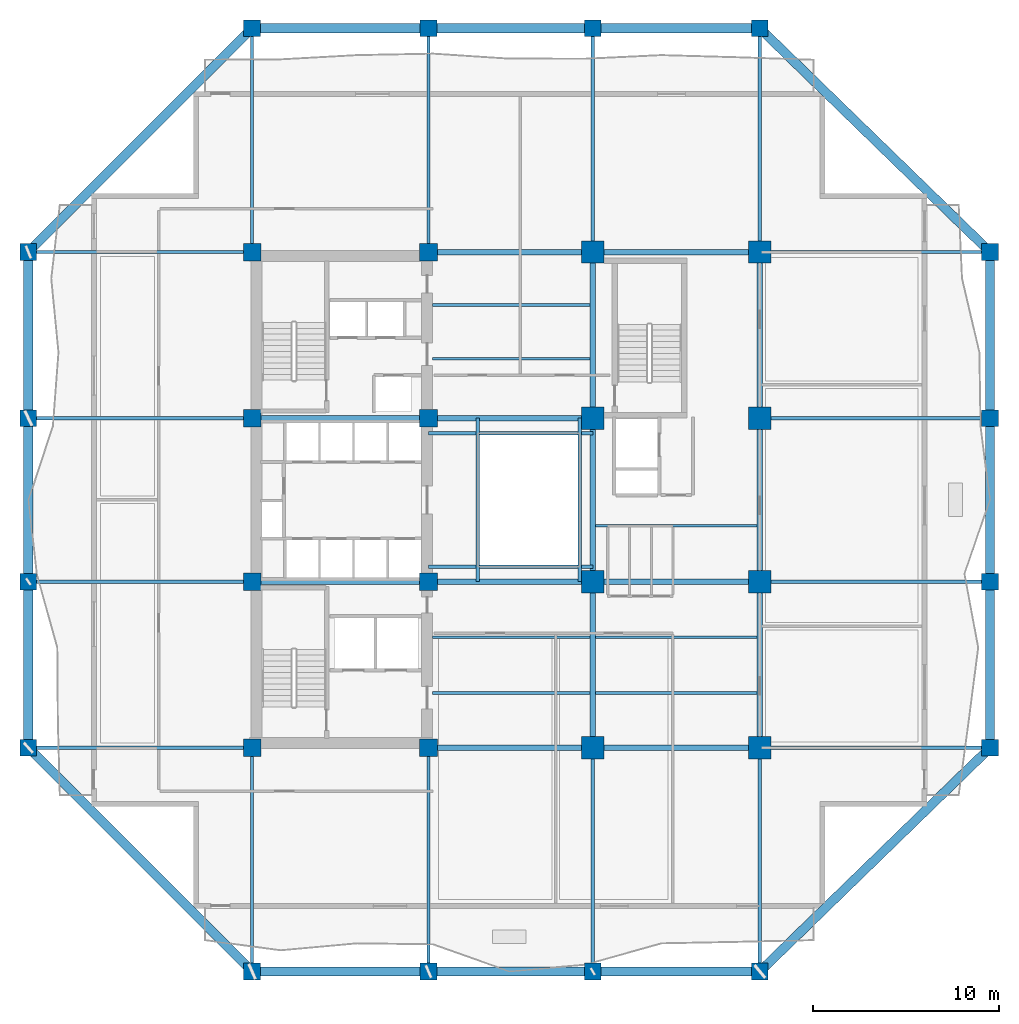
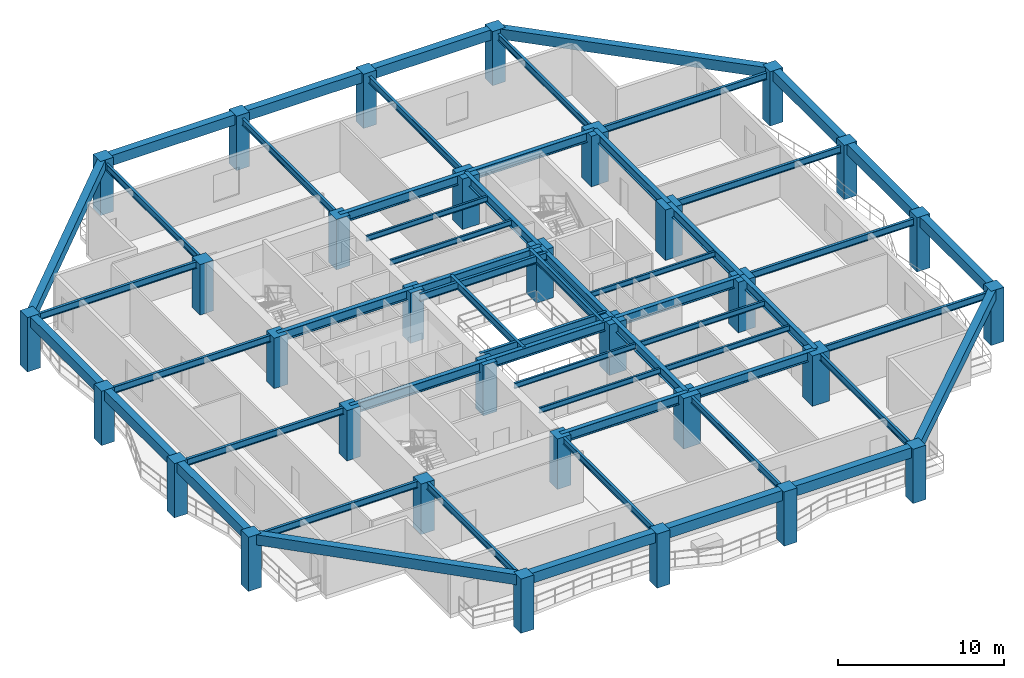
# One storey, part 1 of 12: 58 beams, 32 columns.
"""IFC4 building model written with IfcOpenShell, lengths in metres."""

from ifc_helpers import new_model, si_unit, direction, frame, origin, origin_2d, place, context, subcontext, project, spatial, rectangle, i_section, extrude, material, material_profile, profile_set, type_object, element, save


model = new_model("IFC4")

# Units and contexts
model_context = context("Model", 3, precision=1e-05, world=origin(), true_north=direction((0.0, 1.0)))
body_context = subcontext(model_context, "Body", "Model", "MODEL_VIEW")
ifc_project = project(units=[si_unit("LENGTHUNIT", "METRE"), si_unit("AREAUNIT", "SQUARE_METRE"), si_unit("VOLUMEUNIT", "CUBIC_METRE"), si_unit("PLANEANGLEUNIT", "RADIAN"), si_unit("MASSUNIT", "GRAM", prefix="KILO")], contexts=[model_context])

# Site, building, storey
site_placement = place(None, origin())
site = spatial("IfcSite", under=ifc_project, at=site_placement, CompositionType="ELEMENT")
building_placement = place(site_placement, origin())
building = spatial("IfcBuilding", under=site, at=building_placement, Name="Kundavana Baori Tower", CompositionType="ELEMENT")
storey_placement = place(building_placement, frame((0.0, 0.0, 42.0)))
storey = spatial("IfcBuildingStorey", under=building, at=storey_placement, Name="L09", CompositionType="ELEMENT", Elevation=42.0)

# Columns
ifc_material_1 = material(Name="Concrete C60/75", Category="concrete")
ifc_material_profile_1 = material_profile(ifc_material_1, rectangle(XDim=0.89990234375, YDim=0.89990234375, at=origin_2d()), Name="RC PF 900x900")
ifc_profile_set_1 = profile_set([ifc_material_profile_1], Name="Concrete C60/75")
column_type_1 = type_object("IfcColumnType", Name="COL-PF-900", PredefinedType="COLUMN", material=ifc_profile_set_1)
for number, where, z_axis, x_axis, name in (
    (1, (15.449951171875, 3.199951171875, 0.0), (0.0, 0.0, 1.0), (1.0, 0.0, 0.0), "L09 Stone-Clad Perimeter Frame Column PF-S1"),
    (2, (15.449951171875, 54.0, 0.0), (0.0, 0.0, 1.0), (1.0, 0.0, 0.0), "L09 Stone-Clad Perimeter Frame Column PF-N1"),
    (3, (24.949951171875, 3.199951171875, 0.0), (0.0, 0.0, 1.0), (1.0, 0.0, 0.0), "L09 Stone-Clad Perimeter Frame Column PF-S2"),
    (4, (24.949951171875, 54.0, 0.0), (0.0, 0.0, 1.0), (1.0, 0.0, 0.0), "L09 Stone-Clad Perimeter Frame Column PF-N2"),
    (5, (33.800048828125, 3.199951171875, 0.0), (0.0, 0.0, 1.0), (1.0, 0.0, 0.0), "L09 Stone-Clad Perimeter Frame Column PF-S3"),
    (6, (33.800048828125, 54.0, 0.0), (0.0, 0.0, 1.0), (1.0, 0.0, 0.0), "L09 Stone-Clad Perimeter Frame Column PF-N3"),
    (7, (42.800048828125, 3.199951171875, 0.0), (0.0, 0.0, 1.0), (1.0, 0.0, 0.0), "L09 Stone-Clad Perimeter Frame Column PF-S4"),
    (8, (42.800048828125, 54.0, 0.0), (0.0, 0.0, 1.0), (1.0, 0.0, 0.0), "L09 Stone-Clad Perimeter Frame Column PF-N4"),
    (9, (3.39990234375, 15.25, 0.0), (0.0, 0.0, 1.0), (1.0, 0.0, 0.0), "L09 Stone-Clad Perimeter Frame Column PF-W1"),
    (10, (55.199951171875, 15.25, 0.0), (0.0, 0.0, 1.0), (1.0, 0.0, 0.0), "L09 Stone-Clad Perimeter Frame Column PF-E1"),
    (11, (3.39990234375, 24.199951171875, 0.0), (0.0, 0.0, 1.0), (1.0, 0.0, 0.0), "L09 Stone-Clad Perimeter Frame Column PF-W2"),
    (12, (55.199951171875, 24.199951171875, 0.0), (0.0, 0.0, 1.0), (1.0, 0.0, 0.0), "L09 Stone-Clad Perimeter Frame Column PF-E2"),
    (13, (3.39990234375, 33.0, 0.0), (0.0, 0.0, 1.0), (1.0, 0.0, 0.0), "L09 Stone-Clad Perimeter Frame Column PF-W3"),
    (14, (55.199951171875, 33.0, 0.0), (0.0, 0.0, 1.0), (1.0, 0.0, 0.0), "L09 Stone-Clad Perimeter Frame Column PF-E3"),
    (15, (3.39990234375, 41.949951171875, 0.0), (0.0, 0.0, 1.0), (1.0, 0.0, 0.0), "L09 Stone-Clad Perimeter Frame Column PF-W4"),
    (16, (55.199951171875, 41.949951171875, 0.0), (0.0, 0.0, 1.0), (1.0, 0.0, 0.0), "L09 Stone-Clad Perimeter Frame Column PF-E4"),
):
    element("IfcColumn", number, at=place(storey_placement, frame(where, z_axis=z_axis, x_axis=x_axis)), inside=storey, type_object=column_type_1, Name=name, PredefinedType="COLUMN", context=body_context, shape_type="SweptSolid", body=[
        extrude(rectangle(XDim=0.89990234375, YDim=0.89990234375, at=origin_2d()), origin(), (0.0, 0.0, 1.0), 4.0),
    ])
ifc_material_2 = material(Name="Concrete C60/75", Category="concrete")
ifc_material_profile_2 = material_profile(ifc_material_2, rectangle(XDim=1.199951171875, YDim=1.199951171875, at=origin_2d()), Name="RC 1200x1200")
ifc_profile_set_2 = profile_set([ifc_material_profile_2], Name="Concrete C60/75")
column_type_2 = type_object("IfcColumnType", Name="COL-RC-1200", PredefinedType="COLUMN", material=ifc_profile_set_2)
for number, where, z_axis, x_axis, name in (
    (17, (33.800048828125, 15.25, 0.0), (0.0, 0.0, 1.0), (1.0, 0.0, 0.0), "L09 Interior Column IC-5C"),
    (18, (33.800048828125, 24.199951171875, 0.0), (0.0, 0.0, 1.0), (1.0, 0.0, 0.0), "L09 Interior Column IC-5D"),
    (19, (33.800048828125, 33.0, 0.0), (0.0, 0.0, 1.0), (1.0, 0.0, 0.0), "L09 Interior Column IC-5E"),
    (20, (33.800048828125, 41.949951171875, 0.0), (0.0, 0.0, 1.0), (1.0, 0.0, 0.0), "L09 Interior Column IC-5F"),
    (21, (42.800048828125, 15.25, 0.0), (0.0, 0.0, 1.0), (1.0, 0.0, 0.0), "L09 Interior Column IC-6C"),
    (22, (42.800048828125, 24.199951171875, 0.0), (0.0, 0.0, 1.0), (1.0, 0.0, 0.0), "L09 Interior Column IC-6D"),
    (23, (42.800048828125, 33.0, 0.0), (0.0, 0.0, 1.0), (1.0, 0.0, 0.0), "L09 Interior Column IC-6E"),
    (24, (42.800048828125, 41.949951171875, 0.0), (0.0, 0.0, 1.0), (1.0, 0.0, 0.0), "L09 Interior Column IC-6F"),
):
    element("IfcColumn", number, at=place(storey_placement, frame(where, z_axis=z_axis, x_axis=x_axis)), inside=storey, type_object=column_type_2, Name=name, PredefinedType="COLUMN", context=body_context, shape_type="SweptSolid", body=[
        extrude(rectangle(XDim=1.199951171875, YDim=1.199951171875, at=origin_2d()), origin(), (0.0, 0.0, 1.0), 3.719970703125),
    ])
ifc_material_3 = material(Name="Concrete C50/60", Category="concrete")
ifc_material_profile_3 = material_profile(ifc_material_3, rectangle(XDim=0.949951171875, YDim=0.949951171875, at=origin_2d()), Name="RC 950x950")
ifc_profile_set_3 = profile_set([ifc_material_profile_3], Name="Concrete C50/60")
column_type_3 = type_object("IfcColumnType", Name="COL-RC-950", PredefinedType="COLUMN", material=ifc_profile_set_3)
for number, where, z_axis, x_axis, name in (
    (25, (15.449951171875, 15.25, 0.0), (0.0, 0.0, 1.0), (1.0, 0.0, 0.0), "L09 Interior Column IC-3C"),
    (26, (15.449951171875, 24.199951171875, 0.0), (0.0, 0.0, 1.0), (1.0, 0.0, 0.0), "L09 Interior Column IC-3D"),
    (27, (15.449951171875, 33.0, 0.0), (0.0, 0.0, 1.0), (1.0, 0.0, 0.0), "L09 Interior Column IC-3E"),
    (28, (15.449951171875, 41.949951171875, 0.0), (0.0, 0.0, 1.0), (1.0, 0.0, 0.0), "L09 Interior Column IC-3F"),
    (29, (24.949951171875, 15.25, 0.0), (0.0, 0.0, 1.0), (1.0, 0.0, 0.0), "L09 Interior Column IC-4C"),
    (30, (24.949951171875, 24.199951171875, 0.0), (0.0, 0.0, 1.0), (1.0, 0.0, 0.0), "L09 Interior Column IC-4D"),
    (31, (24.949951171875, 33.0, 0.0), (0.0, 0.0, 1.0), (1.0, 0.0, 0.0), "L09 Interior Column IC-4E"),
    (32, (24.949951171875, 41.949951171875, 0.0), (0.0, 0.0, 1.0), (1.0, 0.0, 0.0), "L09 Interior Column IC-4F"),
):
    element("IfcColumn", number, at=place(storey_placement, frame(where, z_axis=z_axis, x_axis=x_axis)), inside=storey, type_object=column_type_3, Name=name, PredefinedType="COLUMN", context=body_context, shape_type="SweptSolid", body=[
        extrude(rectangle(XDim=0.949951171875, YDim=0.949951171875, at=origin_2d()), origin(), (0.0, 0.0, 1.0), 3.719970703125),
    ])

# Beams
ifc_material_4 = material(Name="Structural Steel S355JR", Category="steel")
ifc_material_profile_4 = material_profile(ifc_material_4, i_section(OverallWidth=0.139892578125, OverallDepth=0.39990234375, WebThickness=0.0087890625, FlangeThickness=0.01611328125, FilletRadius=0.013916015625, at=origin_2d()), Name="ISMB 400")
ifc_profile_set_4 = profile_set([ifc_material_profile_4], Name="Structural Steel S355JR")
beam_type_1 = type_object("IfcBeamType", Name="BM-JST-400", PredefinedType="JOIST", material=ifc_profile_set_4)
for number, where, z_axis, x_axis, name in (
    (33, (25.179931640625, 18.199951171875, 3.52001953125), (1.0, 0.0, 0.0), (0.0, 1.0, 0.0), "L09 Central Bay Composite Floor Joist C1"),
    (34, (25.179931640625, 21.199951171875, 3.52001953125), (1.0, 0.0, 0.0), (0.0, 1.0, 0.0), "L09 Central Bay Composite Floor Joist C2"),
    (35, (25.179931640625, 36.199951171875, 3.52001953125), (1.0, 0.0, 0.0), (0.0, 1.0, 0.0), "L09 Central Bay Composite Floor Joist C3"),
    (36, (25.179931640625, 39.10009765625, 3.52001953125), (1.0, 0.0, 0.0), (0.0, 1.0, 0.0), "L09 Central Bay Composite Floor Joist C4"),
):
    element("IfcBeam", number, at=place(storey_placement, frame(where, z_axis=z_axis, x_axis=x_axis)), inside=storey, type_object=beam_type_1, Name=name, PredefinedType="JOIST", context=body_context, shape_type="SweptSolid", body=[
        extrude(i_section(OverallWidth=0.139892578125, OverallDepth=0.39990234375, WebThickness=0.0087890625, FlangeThickness=0.01611328125, FilletRadius=0.013916015625, at=origin_2d()), origin(), (0.0, 0.0, 1.0), 8.469970703125),
    ])
for number, where, z_axis, x_axis, name in (
    (37, (33.949951171875, 18.199951171875, 3.52001953125), (1.0, 0.0, 0.0), (0.0, 1.0, 0.0), "L09 East Bay Composite Floor Joist E1"),
    (38, (33.949951171875, 21.199951171875, 3.52001953125), (1.0, 0.0, 0.0), (0.0, 1.0, 0.0), "L09 East Bay Composite Floor Joist E2"),
    (39, (33.949951171875, 27.199951171875, 3.52001953125), (1.0, 0.0, 0.0), (0.0, 1.0, 0.0), "L09 East Bay Composite Floor Joist E3"),
):
    element("IfcBeam", number, at=place(storey_placement, frame(where, z_axis=z_axis, x_axis=x_axis)), inside=storey, type_object=beam_type_1, Name=name, PredefinedType="JOIST", context=body_context, shape_type="SweptSolid", body=[
        extrude(i_section(OverallWidth=0.139892578125, OverallDepth=0.39990234375, WebThickness=0.0087890625, FlangeThickness=0.01611328125, FilletRadius=0.013916015625, at=origin_2d()), origin(), (0.0, 0.0, 1.0), 8.699951171875),
    ])
ifc_material_5 = material(Name="Concrete C50/60", Category="concrete")
ifc_material_profile_5 = material_profile(ifc_material_5, rectangle(XDim=0.5, YDim=0.75, at=origin_2d()), Name="RC BM 500x750")
ifc_profile_set_5 = profile_set([ifc_material_profile_5], Name="Concrete C50/60")
beam_type_2 = type_object("IfcBeamType", Name="BM-PF-750", PredefinedType="SPANDREL", material=ifc_profile_set_5)
beam_1_placement = place(storey_placement, frame((15.449951171875, 3.199951171875, 3.625), z_axis=(1.0, 0.0, 0.0), x_axis=(0.0, 1.0, 0.0)))
element("IfcBeam", 40, at=beam_1_placement, inside=storey, type_object=beam_type_2, Name="L09 Perimeter Frame Ring Beam S1", PredefinedType="SPANDREL", context=body_context, shape_type="SweptSolid", body=[
    extrude(rectangle(XDim=0.5, YDim=0.75, at=origin_2d()), origin(), (0.0, 0.0, 1.0), 9.5),
])
beam_2_placement = place(storey_placement, frame((24.949951171875, 3.199951171875, 3.625), z_axis=(1.0, 0.0, 0.0), x_axis=(0.0, 1.0, 0.0)))
element("IfcBeam", 41, at=beam_2_placement, inside=storey, type_object=beam_type_2, Name="L09 Perimeter Frame Ring Beam S2", PredefinedType="SPANDREL", context=body_context, shape_type="SweptSolid", body=[
    extrude(rectangle(XDim=0.5, YDim=0.75, at=origin_2d()), origin(), (0.0, 0.0, 1.0), 8.85009765625),
])
beam_3_placement = place(storey_placement, frame((33.800048828125, 3.199951171875, 3.625), z_axis=(1.0, 0.0, 0.0), x_axis=(0.0, 1.0, 0.0)))
element("IfcBeam", 42, at=beam_3_placement, inside=storey, type_object=beam_type_2, Name="L09 Perimeter Frame Ring Beam S3", PredefinedType="SPANDREL", context=body_context, shape_type="SweptSolid", body=[
    extrude(rectangle(XDim=0.5, YDim=0.75, at=origin_2d()), origin(), (0.0, 0.0, 1.0), 9.0),
])
beam_4_placement = place(storey_placement, frame((15.449951171875, 54.0, 3.625), z_axis=(1.0, 0.0, 0.0), x_axis=(0.0, 1.0, 0.0)))
element("IfcBeam", 43, at=beam_4_placement, inside=storey, type_object=beam_type_2, Name="L09 Perimeter Frame Ring Beam N1", PredefinedType="SPANDREL", context=body_context, shape_type="SweptSolid", body=[
    extrude(rectangle(XDim=0.5, YDim=0.75, at=origin_2d()), origin(), (0.0, 0.0, 1.0), 9.5),
])
beam_5_placement = place(storey_placement, frame((24.949951171875, 54.0, 3.625), z_axis=(1.0, 0.0, 0.0), x_axis=(0.0, 1.0, 0.0)))
element("IfcBeam", 44, at=beam_5_placement, inside=storey, type_object=beam_type_2, Name="L09 Perimeter Frame Ring Beam N2", PredefinedType="SPANDREL", context=body_context, shape_type="SweptSolid", body=[
    extrude(rectangle(XDim=0.5, YDim=0.75, at=origin_2d()), origin(), (0.0, 0.0, 1.0), 8.85009765625),
])
beam_6_placement = place(storey_placement, frame((33.800048828125, 54.0, 3.625), z_axis=(1.0, 0.0, 0.0), x_axis=(0.0, 1.0, 0.0)))
element("IfcBeam", 45, at=beam_6_placement, inside=storey, type_object=beam_type_2, Name="L09 Perimeter Frame Ring Beam N3", PredefinedType="SPANDREL", context=body_context, shape_type="SweptSolid", body=[
    extrude(rectangle(XDim=0.5, YDim=0.75, at=origin_2d()), origin(), (0.0, 0.0, 1.0), 9.0),
])
beam_7_placement = place(storey_placement, frame((3.39990234375, 15.25, 3.625), z_axis=(0.0, 1.0, 0.0), x_axis=(-1.0, 0.0, 0.0)))
element("IfcBeam", 46, at=beam_7_placement, inside=storey, type_object=beam_type_2, Name="L09 Perimeter Frame Ring Beam W1", PredefinedType="SPANDREL", context=body_context, shape_type="SweptSolid", body=[
    extrude(rectangle(XDim=0.5, YDim=0.75, at=origin_2d()), origin(), (0.0, 0.0, 1.0), 8.949951171875),
])
beam_8_placement = place(storey_placement, frame((3.39990234375, 24.199951171875, 3.625), z_axis=(0.0, 1.0, 0.0), x_axis=(-1.0, 0.0, 0.0)))
element("IfcBeam", 47, at=beam_8_placement, inside=storey, type_object=beam_type_2, Name="L09 Perimeter Frame Ring Beam W2", PredefinedType="SPANDREL", context=body_context, shape_type="SweptSolid", body=[
    extrude(rectangle(XDim=0.5, YDim=0.75, at=origin_2d()), origin(), (0.0, 0.0, 1.0), 8.800048828125),
])
for number, where, z_axis, x_axis, name in (
    (48, (3.39990234375, 33.0, 3.625), (0.0, 1.0, 0.0), (-1.0, 0.0, 0.0), "L09 Perimeter Frame Ring Beam W3"),
    (49, (55.199951171875, 15.25, 3.625), (0.0, 1.0, 0.0), (-1.0, 0.0, 0.0), "L09 Perimeter Frame Ring Beam E1"),
):
    element("IfcBeam", number, at=place(storey_placement, frame(where, z_axis=z_axis, x_axis=x_axis)), inside=storey, type_object=beam_type_2, Name=name, PredefinedType="SPANDREL", context=body_context, shape_type="SweptSolid", body=[
        extrude(rectangle(XDim=0.5, YDim=0.75, at=origin_2d()), origin(), (0.0, 0.0, 1.0), 8.949951171875),
    ])
beam_9_placement = place(storey_placement, frame((55.199951171875, 24.199951171875, 3.625), z_axis=(0.0, 1.0, 0.0), x_axis=(-1.0, 0.0, 0.0)))
element("IfcBeam", 50, at=beam_9_placement, inside=storey, type_object=beam_type_2, Name="L09 Perimeter Frame Ring Beam E2", PredefinedType="SPANDREL", context=body_context, shape_type="SweptSolid", body=[
    extrude(rectangle(XDim=0.5, YDim=0.75, at=origin_2d()), origin(), (0.0, 0.0, 1.0), 8.800048828125),
])
beam_10_placement = place(storey_placement, frame((55.199951171875, 33.0, 3.625), z_axis=(0.0, 1.0, 0.0), x_axis=(-1.0, 0.0, 0.0)))
element("IfcBeam", 51, at=beam_10_placement, inside=storey, type_object=beam_type_2, Name="L09 Perimeter Frame Ring Beam E3", PredefinedType="SPANDREL", context=body_context, shape_type="SweptSolid", body=[
    extrude(rectangle(XDim=0.5, YDim=0.75, at=origin_2d()), origin(), (0.0, 0.0, 1.0), 8.949951171875),
])
beam_11_placement = place(storey_placement, frame((15.449951171875, 3.199951171875, 3.625), z_axis=(-0.707106781187, 0.707106781187, 0.0), x_axis=(-0.707106781187, -0.707106781187, 0.0)))
element("IfcBeam", 52, at=beam_11_placement, inside=storey, type_object=beam_type_2, Name="L09 Notched Corner Perimeter Beam SW", PredefinedType="SPANDREL", context=body_context, shape_type="SweptSolid", body=[
    extrude(rectangle(XDim=0.5, YDim=0.75, at=origin_2d()), origin(), (0.0, 0.0, 1.0), 17.041259765625),
])
beam_12_placement = place(storey_placement, frame((42.800048828125, 3.199951171875, 3.625), z_axis=(0.717151334594, 0.696917472367, 0.0), x_axis=(-0.696917472367, 0.717151334594, 0.0)))
element("IfcBeam", 53, at=beam_12_placement, inside=storey, type_object=beam_type_2, Name="L09 Notched Corner Perimeter Beam SE", PredefinedType="SPANDREL", context=body_context, shape_type="SweptSolid", body=[
    extrude(rectangle(XDim=0.5, YDim=0.75, at=origin_2d()), origin(), (0.0, 0.0, 1.0), 17.29052734375),
])
beam_13_placement = place(storey_placement, frame((15.449951171875, 54.0, 3.625), z_axis=(-0.707106781187, -0.707106781187, 0.0), x_axis=(0.707106781187, -0.707106781187, 0.0)))
element("IfcBeam", 54, at=beam_13_placement, inside=storey, type_object=beam_type_2, Name="L09 Notched Corner Perimeter Beam NW", PredefinedType="SPANDREL", context=body_context, shape_type="SweptSolid", body=[
    extrude(rectangle(XDim=0.5, YDim=0.75, at=origin_2d()), origin(), (0.0, 0.0, 1.0), 17.041259765625),
])
beam_14_placement = place(storey_placement, frame((42.800048828125, 54.0, 3.625), z_axis=(0.717151334594, -0.696917472367, 0.0), x_axis=(0.696917472367, 0.717151334594, 0.0)))
element("IfcBeam", 55, at=beam_14_placement, inside=storey, type_object=beam_type_2, Name="L09 Notched Corner Perimeter Beam NE", PredefinedType="SPANDREL", context=body_context, shape_type="SweptSolid", body=[
    extrude(rectangle(XDim=0.5, YDim=0.75, at=origin_2d()), origin(), (0.0, 0.0, 1.0), 17.29052734375),
])
ifc_material_6 = material(Name="Structural Steel S355JR", Category="steel")
ifc_material_profile_6 = material_profile(ifc_material_6, i_section(OverallWidth=0.18994140625, OverallDepth=0.550048828125, WebThickness=0.01123046875, FlangeThickness=0.019287109375, FilletRadius=0.01806640625, at=origin_2d()), Name="ISMB 550")
ifc_profile_set_6 = profile_set([ifc_material_profile_6], Name="Structural Steel S355JR")
beam_type_3 = type_object("IfcBeamType", Name="BM-ST-550", PredefinedType="BEAM", material=ifc_profile_set_6)
for number, where, z_axis, x_axis, name in (
    (56, (27.60009765625, 24.199951171875, 3.445068359375), (0.0, 1.0, 0.0), (-1.0, 0.0, 0.0), "L09 Atrium West Edge Beam"),
    (57, (33.10009765625, 24.199951171875, 3.445068359375), (0.0, 1.0, 0.0), (-1.0, 0.0, 0.0), "L09 Atrium East Edge Beam"),
):
    element("IfcBeam", number, at=place(storey_placement, frame(where, z_axis=z_axis, x_axis=x_axis)), inside=storey, type_object=beam_type_3, Name=name, PredefinedType="BEAM", context=body_context, shape_type="SweptSolid", body=[
        extrude(i_section(OverallWidth=0.18994140625, OverallDepth=0.550048828125, WebThickness=0.01123046875, FlangeThickness=0.019287109375, FilletRadius=0.01806640625, at=origin_2d()), origin(), (0.0, 0.0, 1.0), 8.800048828125),
    ])
for number, where, z_axis, x_axis, name in (
    (58, (24.949951171875, 25.0, 3.445068359375), (1.0, 0.0, 0.0), (0.0, 1.0, 0.0), "L09 Atrium South Edge Beam"),
    (59, (24.949951171875, 32.199951171875, 3.445068359375), (1.0, 0.0, 0.0), (0.0, 1.0, 0.0), "L09 Atrium North Edge Beam"),
):
    element("IfcBeam", number, at=place(storey_placement, frame(where, z_axis=z_axis, x_axis=x_axis)), inside=storey, type_object=beam_type_3, Name=name, PredefinedType="BEAM", context=body_context, shape_type="SweptSolid", body=[
        extrude(i_section(OverallWidth=0.18994140625, OverallDepth=0.550048828125, WebThickness=0.01123046875, FlangeThickness=0.019287109375, FilletRadius=0.01806640625, at=origin_2d()), origin(), (0.0, 0.0, 1.0), 8.85009765625),
    ])
ifc_material_7 = material(Name="Structural Steel S355JR", Category="steel")
ifc_material_profile_7 = material_profile(ifc_material_7, i_section(OverallWidth=0.300048828125, OverallDepth=0.699951171875, WebThickness=0.014404296875, FlangeThickness=0.02392578125, FilletRadius=0.02392578125, at=origin_2d()), Name="NPB 700x300x170")
ifc_profile_set_7 = profile_set([ifc_material_profile_7], Name="Structural Steel S355JR")
beam_type_4 = type_object("IfcBeamType", Name="BM-ST-700", PredefinedType="BEAM", material=ifc_profile_set_7)
beam_15_placement = place(storey_placement, frame((24.949951171875, 15.25, 3.3701171875), z_axis=(1.0, 0.0, 0.0), x_axis=(0.0, 1.0, 0.0)))
element("IfcBeam", 60, at=beam_15_placement, inside=storey, type_object=beam_type_4, Name="L09 Primary Grid Girder GX-1-2", PredefinedType="BEAM", context=body_context, shape_type="SweptSolid", body=[
    extrude(i_section(OverallWidth=0.300048828125, OverallDepth=0.699951171875, WebThickness=0.014404296875, FlangeThickness=0.02392578125, FilletRadius=0.02392578125, at=origin_2d()), origin(), (0.0, 0.0, 1.0), 8.85009765625),
])
beam_16_placement = place(storey_placement, frame((33.800048828125, 15.25, 3.3701171875), z_axis=(1.0, 0.0, 0.0), x_axis=(0.0, 1.0, 0.0)))
element("IfcBeam", 61, at=beam_16_placement, inside=storey, type_object=beam_type_4, Name="L09 Primary Grid Girder GX-1-3", PredefinedType="BEAM", context=body_context, shape_type="SweptSolid", body=[
    extrude(i_section(OverallWidth=0.300048828125, OverallDepth=0.699951171875, WebThickness=0.014404296875, FlangeThickness=0.02392578125, FilletRadius=0.02392578125, at=origin_2d()), origin(), (0.0, 0.0, 1.0), 9.0),
])
beam_17_placement = place(storey_placement, frame((15.449951171875, 24.199951171875, 3.3701171875), z_axis=(1.0, 0.0, 0.0), x_axis=(0.0, 1.0, 0.0)))
element("IfcBeam", 62, at=beam_17_placement, inside=storey, type_object=beam_type_4, Name="L09 Primary Grid Girder GX-2-1", PredefinedType="BEAM", context=body_context, shape_type="SweptSolid", body=[
    extrude(i_section(OverallWidth=0.300048828125, OverallDepth=0.699951171875, WebThickness=0.014404296875, FlangeThickness=0.02392578125, FilletRadius=0.02392578125, at=origin_2d()), origin(), (0.0, 0.0, 1.0), 9.5),
])
beam_18_placement = place(storey_placement, frame((24.949951171875, 24.199951171875, 3.3701171875), z_axis=(1.0, 0.0, 0.0), x_axis=(0.0, 1.0, 0.0)))
element("IfcBeam", 63, at=beam_18_placement, inside=storey, type_object=beam_type_4, Name="L09 Primary Grid Girder GX-2-2", PredefinedType="BEAM", context=body_context, shape_type="SweptSolid", body=[
    extrude(i_section(OverallWidth=0.300048828125, OverallDepth=0.699951171875, WebThickness=0.014404296875, FlangeThickness=0.02392578125, FilletRadius=0.02392578125, at=origin_2d()), origin(), (0.0, 0.0, 1.0), 8.85009765625),
])
beam_19_placement = place(storey_placement, frame((33.800048828125, 24.199951171875, 3.3701171875), z_axis=(1.0, 0.0, 0.0), x_axis=(0.0, 1.0, 0.0)))
element("IfcBeam", 64, at=beam_19_placement, inside=storey, type_object=beam_type_4, Name="L09 Primary Grid Girder GX-2-3", PredefinedType="BEAM", context=body_context, shape_type="SweptSolid", body=[
    extrude(i_section(OverallWidth=0.300048828125, OverallDepth=0.699951171875, WebThickness=0.014404296875, FlangeThickness=0.02392578125, FilletRadius=0.02392578125, at=origin_2d()), origin(), (0.0, 0.0, 1.0), 9.0),
])
beam_20_placement = place(storey_placement, frame((15.449951171875, 33.0, 3.3701171875), z_axis=(1.0, 0.0, 0.0), x_axis=(0.0, 1.0, 0.0)))
element("IfcBeam", 65, at=beam_20_placement, inside=storey, type_object=beam_type_4, Name="L09 Primary Grid Girder GX-3-1", PredefinedType="BEAM", context=body_context, shape_type="SweptSolid", body=[
    extrude(i_section(OverallWidth=0.300048828125, OverallDepth=0.699951171875, WebThickness=0.014404296875, FlangeThickness=0.02392578125, FilletRadius=0.02392578125, at=origin_2d()), origin(), (0.0, 0.0, 1.0), 9.5),
])
for number, where, z_axis, x_axis, name in (
    (66, (24.949951171875, 33.0, 3.3701171875), (1.0, 0.0, 0.0), (0.0, 1.0, 0.0), "L09 Primary Grid Girder GX-3-2"),
    (67, (24.949951171875, 41.949951171875, 3.3701171875), (1.0, 0.0, 0.0), (0.0, 1.0, 0.0), "L09 Primary Grid Girder GX-4-2"),
):
    element("IfcBeam", number, at=place(storey_placement, frame(where, z_axis=z_axis, x_axis=x_axis)), inside=storey, type_object=beam_type_4, Name=name, PredefinedType="BEAM", context=body_context, shape_type="SweptSolid", body=[
        extrude(i_section(OverallWidth=0.300048828125, OverallDepth=0.699951171875, WebThickness=0.014404296875, FlangeThickness=0.02392578125, FilletRadius=0.02392578125, at=origin_2d()), origin(), (0.0, 0.0, 1.0), 8.85009765625),
    ])
beam_21_placement = place(storey_placement, frame((33.800048828125, 41.949951171875, 3.3701171875), z_axis=(1.0, 0.0, 0.0), x_axis=(0.0, 1.0, 0.0)))
element("IfcBeam", 68, at=beam_21_placement, inside=storey, type_object=beam_type_4, Name="L09 Primary Grid Girder GX-4-3", PredefinedType="BEAM", context=body_context, shape_type="SweptSolid", body=[
    extrude(i_section(OverallWidth=0.300048828125, OverallDepth=0.699951171875, WebThickness=0.014404296875, FlangeThickness=0.02392578125, FilletRadius=0.02392578125, at=origin_2d()), origin(), (0.0, 0.0, 1.0), 9.0),
])
beam_22_placement = place(storey_placement, frame((33.800048828125, 15.25, 3.3701171875), z_axis=(0.0, 1.0, 0.0), x_axis=(-1.0, 0.0, 0.0)))
element("IfcBeam", 69, at=beam_22_placement, inside=storey, type_object=beam_type_4, Name="L09 Primary Grid Girder GY-3-1", PredefinedType="BEAM", context=body_context, shape_type="SweptSolid", body=[
    extrude(i_section(OverallWidth=0.300048828125, OverallDepth=0.699951171875, WebThickness=0.014404296875, FlangeThickness=0.02392578125, FilletRadius=0.02392578125, at=origin_2d()), origin(), (0.0, 0.0, 1.0), 8.949951171875),
])
beam_23_placement = place(storey_placement, frame((33.800048828125, 24.199951171875, 3.3701171875), z_axis=(0.0, 1.0, 0.0), x_axis=(-1.0, 0.0, 0.0)))
element("IfcBeam", 70, at=beam_23_placement, inside=storey, type_object=beam_type_4, Name="L09 Primary Grid Girder GY-3-2", PredefinedType="BEAM", context=body_context, shape_type="SweptSolid", body=[
    extrude(i_section(OverallWidth=0.300048828125, OverallDepth=0.699951171875, WebThickness=0.014404296875, FlangeThickness=0.02392578125, FilletRadius=0.02392578125, at=origin_2d()), origin(), (0.0, 0.0, 1.0), 8.800048828125),
])
for number, where, z_axis, x_axis, name in (
    (71, (33.800048828125, 33.0, 3.3701171875), (0.0, 1.0, 0.0), (-1.0, 0.0, 0.0), "L09 Primary Grid Girder GY-3-3"),
    (72, (42.800048828125, 15.25, 3.3701171875), (0.0, 1.0, 0.0), (-1.0, 0.0, 0.0), "L09 Primary Grid Girder GY-4-1"),
):
    element("IfcBeam", number, at=place(storey_placement, frame(where, z_axis=z_axis, x_axis=x_axis)), inside=storey, type_object=beam_type_4, Name=name, PredefinedType="BEAM", context=body_context, shape_type="SweptSolid", body=[
        extrude(i_section(OverallWidth=0.300048828125, OverallDepth=0.699951171875, WebThickness=0.014404296875, FlangeThickness=0.02392578125, FilletRadius=0.02392578125, at=origin_2d()), origin(), (0.0, 0.0, 1.0), 8.949951171875),
    ])
beam_24_placement = place(storey_placement, frame((42.800048828125, 24.199951171875, 3.3701171875), z_axis=(0.0, 1.0, 0.0), x_axis=(-1.0, 0.0, 0.0)))
element("IfcBeam", 73, at=beam_24_placement, inside=storey, type_object=beam_type_4, Name="L09 Primary Grid Girder GY-4-2", PredefinedType="BEAM", context=body_context, shape_type="SweptSolid", body=[
    extrude(i_section(OverallWidth=0.300048828125, OverallDepth=0.699951171875, WebThickness=0.014404296875, FlangeThickness=0.02392578125, FilletRadius=0.02392578125, at=origin_2d()), origin(), (0.0, 0.0, 1.0), 8.800048828125),
])
beam_25_placement = place(storey_placement, frame((42.800048828125, 33.0, 3.3701171875), z_axis=(0.0, 1.0, 0.0), x_axis=(-1.0, 0.0, 0.0)))
element("IfcBeam", 74, at=beam_25_placement, inside=storey, type_object=beam_type_4, Name="L09 Primary Grid Girder GY-4-3", PredefinedType="BEAM", context=body_context, shape_type="SweptSolid", body=[
    extrude(i_section(OverallWidth=0.300048828125, OverallDepth=0.699951171875, WebThickness=0.014404296875, FlangeThickness=0.02392578125, FilletRadius=0.02392578125, at=origin_2d()), origin(), (0.0, 0.0, 1.0), 8.949951171875),
])
ifc_material_8 = material(Name="Structural Steel S355JR", Category="steel")
ifc_material_profile_8 = material_profile(ifc_material_8, i_section(OverallWidth=0.179931640625, OverallDepth=0.5, WebThickness=0.01025390625, FlangeThickness=0.01708984375, FilletRadius=0.01708984375, at=origin_2d()), Name="ISMB 500")
ifc_profile_set_8 = profile_set([ifc_material_profile_8], Name="Structural Steel S355JR")
beam_type_5 = type_object("IfcBeamType", Name="BM-TIE-500", PredefinedType="BEAM", material=ifc_profile_set_8)
for number, where, z_axis, x_axis, name in (
    (75, (15.449951171875, 15.25, 3.469970703125), (0.0, -1.0, 0.0), (1.0, 0.0, 0.0), "L09 South Radial Loggia Tie Beam S1"),
    (76, (15.449951171875, 41.949951171875, 3.469970703125), (0.0, 1.0, 0.0), (-1.0, 0.0, 0.0), "L09 North Radial Loggia Tie Beam N1"),
    (77, (24.949951171875, 15.25, 3.469970703125), (0.0, -1.0, 0.0), (1.0, 0.0, 0.0), "L09 South Radial Loggia Tie Beam S2"),
    (78, (24.949951171875, 41.949951171875, 3.469970703125), (0.0, 1.0, 0.0), (-1.0, 0.0, 0.0), "L09 North Radial Loggia Tie Beam N2"),
    (79, (33.800048828125, 15.25, 3.469970703125), (0.0, -1.0, 0.0), (1.0, 0.0, 0.0), "L09 South Radial Loggia Tie Beam S3"),
    (80, (33.800048828125, 41.949951171875, 3.469970703125), (0.0, 1.0, 0.0), (-1.0, 0.0, 0.0), "L09 North Radial Loggia Tie Beam N3"),
    (81, (42.800048828125, 15.25, 3.469970703125), (0.0, -1.0, 0.0), (1.0, 0.0, 0.0), "L09 South Radial Loggia Tie Beam S4"),
    (82, (42.800048828125, 41.949951171875, 3.469970703125), (0.0, 1.0, 0.0), (-1.0, 0.0, 0.0), "L09 North Radial Loggia Tie Beam N4"),
    (83, (15.449951171875, 15.25, 3.469970703125), (-1.0, 0.0, 0.0), (0.0, -1.0, 0.0), "L09 West Radial Loggia Tie Beam W1"),
):
    element("IfcBeam", number, at=place(storey_placement, frame(where, z_axis=z_axis, x_axis=x_axis)), inside=storey, type_object=beam_type_5, Name=name, PredefinedType="BEAM", context=body_context, shape_type="SweptSolid", body=[
        extrude(i_section(OverallWidth=0.179931640625, OverallDepth=0.5, WebThickness=0.01025390625, FlangeThickness=0.01708984375, FilletRadius=0.01708984375, at=origin_2d()), origin(), (0.0, 0.0, 1.0), 12.050048828125),
    ])
beam_26_placement = place(storey_placement, frame((42.800048828125, 15.25, 3.469970703125), z_axis=(1.0, 0.0, 0.0), x_axis=(0.0, 1.0, 0.0)))
element("IfcBeam", 84, at=beam_26_placement, inside=storey, type_object=beam_type_5, Name="L09 East Radial Loggia Tie Beam E1", PredefinedType="BEAM", context=body_context, shape_type="SweptSolid", body=[
    extrude(i_section(OverallWidth=0.179931640625, OverallDepth=0.5, WebThickness=0.01025390625, FlangeThickness=0.01708984375, FilletRadius=0.01708984375, at=origin_2d()), origin(), (0.0, 0.0, 1.0), 12.39990234375),
])
beam_27_placement = place(storey_placement, frame((15.449951171875, 24.199951171875, 3.469970703125), z_axis=(-1.0, 0.0, 0.0), x_axis=(0.0, -1.0, 0.0)))
element("IfcBeam", 85, at=beam_27_placement, inside=storey, type_object=beam_type_5, Name="L09 West Radial Loggia Tie Beam W2", PredefinedType="BEAM", context=body_context, shape_type="SweptSolid", body=[
    extrude(i_section(OverallWidth=0.179931640625, OverallDepth=0.5, WebThickness=0.01025390625, FlangeThickness=0.01708984375, FilletRadius=0.01708984375, at=origin_2d()), origin(), (0.0, 0.0, 1.0), 12.050048828125),
])
beam_28_placement = place(storey_placement, frame((42.800048828125, 24.199951171875, 3.469970703125), z_axis=(1.0, 0.0, 0.0), x_axis=(0.0, 1.0, 0.0)))
element("IfcBeam", 86, at=beam_28_placement, inside=storey, type_object=beam_type_5, Name="L09 East Radial Loggia Tie Beam E2", PredefinedType="BEAM", context=body_context, shape_type="SweptSolid", body=[
    extrude(i_section(OverallWidth=0.179931640625, OverallDepth=0.5, WebThickness=0.01025390625, FlangeThickness=0.01708984375, FilletRadius=0.01708984375, at=origin_2d()), origin(), (0.0, 0.0, 1.0), 12.39990234375),
])
beam_29_placement = place(storey_placement, frame((15.449951171875, 33.0, 3.469970703125), z_axis=(-1.0, 0.0, 0.0), x_axis=(0.0, -1.0, 0.0)))
element("IfcBeam", 87, at=beam_29_placement, inside=storey, type_object=beam_type_5, Name="L09 West Radial Loggia Tie Beam W3", PredefinedType="BEAM", context=body_context, shape_type="SweptSolid", body=[
    extrude(i_section(OverallWidth=0.179931640625, OverallDepth=0.5, WebThickness=0.01025390625, FlangeThickness=0.01708984375, FilletRadius=0.01708984375, at=origin_2d()), origin(), (0.0, 0.0, 1.0), 12.050048828125),
])
beam_30_placement = place(storey_placement, frame((42.800048828125, 33.0, 3.469970703125), z_axis=(1.0, 0.0, 0.0), x_axis=(0.0, 1.0, 0.0)))
element("IfcBeam", 88, at=beam_30_placement, inside=storey, type_object=beam_type_5, Name="L09 East Radial Loggia Tie Beam E3", PredefinedType="BEAM", context=body_context, shape_type="SweptSolid", body=[
    extrude(i_section(OverallWidth=0.179931640625, OverallDepth=0.5, WebThickness=0.01025390625, FlangeThickness=0.01708984375, FilletRadius=0.01708984375, at=origin_2d()), origin(), (0.0, 0.0, 1.0), 12.39990234375),
])
beam_31_placement = place(storey_placement, frame((15.449951171875, 41.949951171875, 3.469970703125), z_axis=(-1.0, 0.0, 0.0), x_axis=(0.0, -1.0, 0.0)))
element("IfcBeam", 89, at=beam_31_placement, inside=storey, type_object=beam_type_5, Name="L09 West Radial Loggia Tie Beam W4", PredefinedType="BEAM", context=body_context, shape_type="SweptSolid", body=[
    extrude(i_section(OverallWidth=0.179931640625, OverallDepth=0.5, WebThickness=0.01025390625, FlangeThickness=0.01708984375, FilletRadius=0.01708984375, at=origin_2d()), origin(), (0.0, 0.0, 1.0), 12.050048828125),
])
beam_32_placement = place(storey_placement, frame((42.800048828125, 41.949951171875, 3.469970703125), z_axis=(1.0, 0.0, 0.0), x_axis=(0.0, 1.0, 0.0)))
element("IfcBeam", 90, at=beam_32_placement, inside=storey, type_object=beam_type_5, Name="L09 East Radial Loggia Tie Beam E4", PredefinedType="BEAM", context=body_context, shape_type="SweptSolid", body=[
    extrude(i_section(OverallWidth=0.179931640625, OverallDepth=0.5, WebThickness=0.01025390625, FlangeThickness=0.01708984375, FilletRadius=0.01708984375, at=origin_2d()), origin(), (0.0, 0.0, 1.0), 12.39990234375),
])

save(model, "model.ifc")
